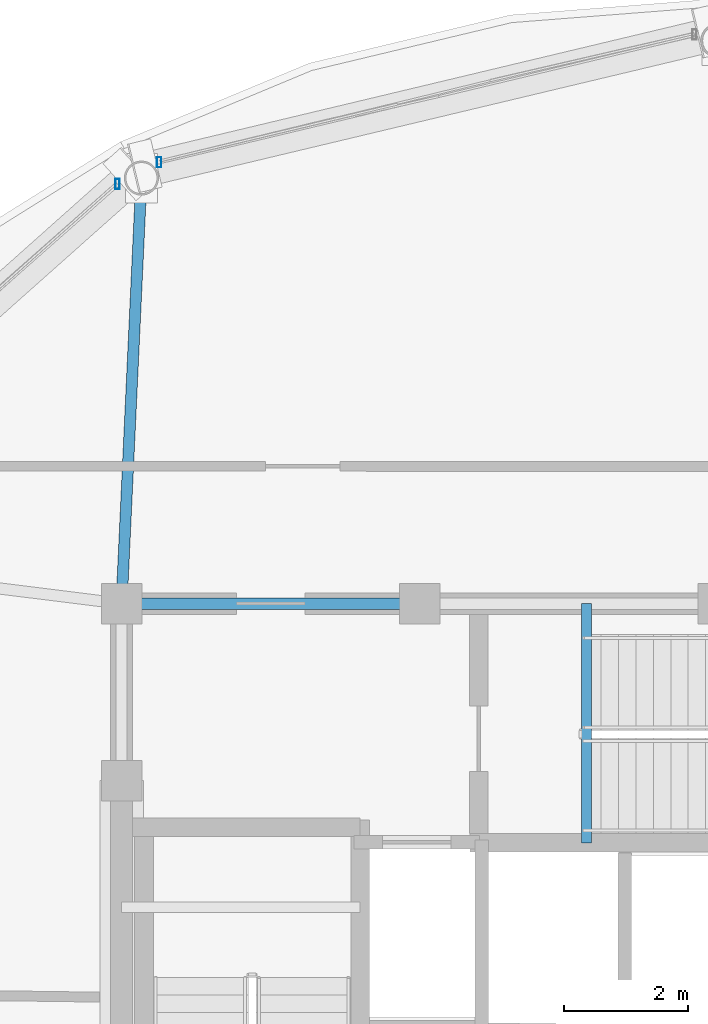
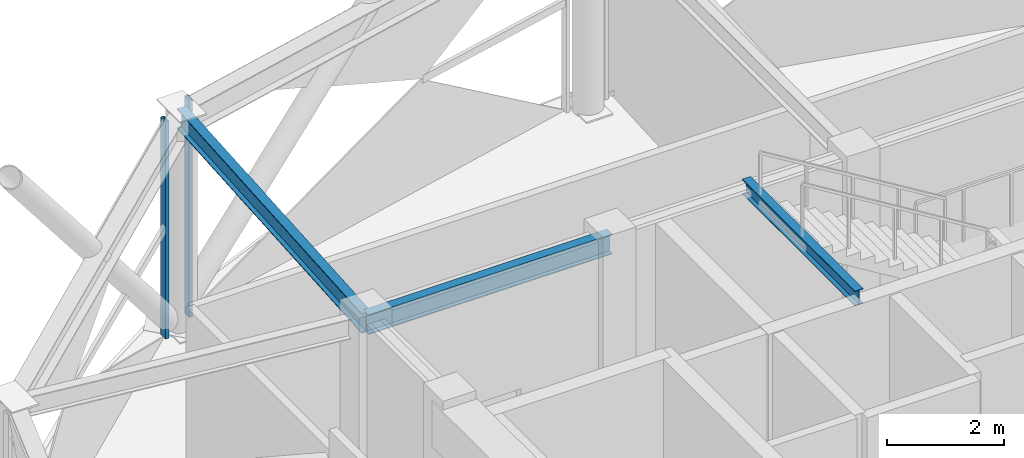
# One storey, part 11 of 27: 3 beams, 2 members, 2 elements without a shape of their own.
"""IFC4 building model written with IfcOpenShell, lengths in metres."""

import ifcopenshell
import ifcopenshell.guid

model = None  # the IFC model being written
_history = None  # IfcOwnerHistory: only IFC2X3 demands one
_inside = {}  # id of a spatial element -> (the spatial element, [elements in it])
_under = {}  # id of a project, library or spatial element -> (it, [spatial elements below it])
_declared = {}  # id of a project -> (the project, [libraries it declares])
_typed = {}  # id of a type object -> (the type object, [elements of that type])
_made_of = {}  # id of a material, layer set ... -> (it, [elements and type objects made of it])


def new_model(schema):
    """Start an empty IFC model of exactly this schema.

    Asked for "IFC4X3", IfcOpenShell would pick the latest addendum, in which some entities
    have other attributes; the version numbers below select the first issue.
    IFC2X3 requires an IfcOwnerHistory on every rooted entity: one is made here for all.
    """
    global model, _history
    if schema == "IFC4X3":
        model = ifcopenshell.file(schema_version=(4, 3, 0, 0))
    else:
        model = ifcopenshell.file(schema=schema)
    _inside.clear()
    _under.clear()
    _declared.clear()
    _typed.clear()
    _made_of.clear()
    _history = None
    if model.schema == "IFC2X3":
        org = make("IfcOrganization", Name="unknown")
        user = make(
            "IfcPersonAndOrganization",
            ThePerson=make("IfcPerson", FamilyName="unknown"),
            TheOrganization=org,
        )
        app = make(
            "IfcApplication",
            ApplicationDeveloper=org,
            Version="unknown",
            ApplicationFullName="unknown",
            ApplicationIdentifier="unknown",
        )
        _history = make(
            "IfcOwnerHistory",
            OwningUser=user,
            OwningApplication=app,
            ChangeAction="ADDED",
            CreationDate=0,
        )
    return model


def make(cls, **values):
    """One entity of the class cls with the attributes given. An attribute that is None is left unset."""
    return model.create_entity(
        cls, **{name: value for name, value in values.items() if value is not None}
    )


def rooted(cls, **values):
    """An entity with a GlobalId (a new one), such as an element, a storey or a relation."""
    return make(cls, GlobalId=ifcopenshell.guid.new(), OwnerHistory=_history, **values)


def si_unit(unit_type, name, prefix=None):
    """IfcSIUnit, for example si_unit("LENGTHUNIT", "METRE", prefix="MILLI")."""
    return make("IfcSIUnit", UnitType=unit_type, Prefix=prefix, Name=name)


def assignment(units):
    """IfcUnitAssignment: the units of a project."""
    return None if units is None else make("IfcUnitAssignment", Units=units)


def point(xyz):
    """IfcCartesianPoint."""
    return None if xyz is None else make("IfcCartesianPoint", Coordinates=xyz)


def direction(xyz):
    """IfcDirection."""
    return None if xyz is None else make("IfcDirection", DirectionRatios=xyz)


def frame(location, z_axis=None, x_axis=None):
    """IfcAxis2Placement3D, a coordinate frame: its origin and axes. An axis left out is left unset."""
    return make(
        "IfcAxis2Placement3D",
        Location=point(location),
        Axis=direction(z_axis),
        RefDirection=direction(x_axis),
    )


def frame_2d(location, x_axis=None):
    """IfcAxis2Placement2D, a coordinate frame in the plane: its origin and x axis."""
    return make(
        "IfcAxis2Placement2D", Location=point(location), RefDirection=direction(x_axis)
    )


def origin():
    """The frame at (0, 0, 0) with its axes left unset."""
    return frame((0.0, 0.0, 0.0))


def origin_2d():
    """The frame at (0, 0) in the plane with its x axis left unset."""
    return frame_2d((0.0, 0.0))


def place(relative_to, where):
    """IfcLocalPlacement: puts the frame where relative to a parent placement (None: the world)."""
    return make(
        "IfcLocalPlacement", PlacementRelTo=relative_to, RelativePlacement=where
    )


def context(
    kind, dimensions, precision=None, world=None, true_north=None, identifier=None
):
    """IfcGeometricRepresentationContext, for example the 3D "Model" context."""
    return make(
        "IfcGeometricRepresentationContext",
        ContextIdentifier=identifier,
        ContextType=kind,
        CoordinateSpaceDimension=dimensions,
        Precision=precision,
        WorldCoordinateSystem=world,
        TrueNorth=true_north,
    )


def subcontext(parent, identifier, kind, view, scale=None):
    """IfcGeometricRepresentationSubContext, for example "Body" below "Model"."""
    return make(
        "IfcGeometricRepresentationSubContext",
        ContextIdentifier=identifier,
        ContextType=kind,
        ParentContext=parent,
        TargetScale=scale,
        TargetView=view,
    )


def project(units=None, contexts=None):
    """IfcProject with its units and contexts."""
    return rooted(
        "IfcProject",
        Name="project",
        RepresentationContexts=contexts,
        UnitsInContext=assignment(units),
    )


def spatial(cls, under=None, at=None, **own):
    """A site, building, storey or space (cls), placed at a placement, below another one or the project."""
    s = rooted(cls, ObjectPlacement=at, **own)
    if under is not None:
        _under.setdefault(under.id(), (under, []))[1].append(s)
    return s


def profile(cls, at=None, kind="AREA", **sizes):
    """A parametric profile (cls). Its sizes go by their IFC names, for example OverallWidth=200.0."""
    return make(cls, ProfileType=kind, Position=at, **sizes)


def hollow_rectangle(**sizes):
    """IfcRectangleHollowProfileDef."""
    return profile("IfcRectangleHollowProfileDef", **sizes)


def i_section(**sizes):
    """IfcIShapeProfileDef."""
    return profile("IfcIShapeProfileDef", **sizes)


def extrude(swept, where, along, depth):
    """IfcExtrudedAreaSolid: the profile swept, set in the frame where, extruded along a direction by depth."""
    return make(
        "IfcExtrudedAreaSolid",
        SweptArea=swept,
        Position=where,
        ExtrudedDirection=direction(along),
        Depth=depth,
    )


def shape(context_of_items, identifier, shape_type, items):
    """IfcShapeRepresentation: the items that make up one representation, for example the "Body"."""
    return make(
        "IfcShapeRepresentation",
        ContextOfItems=context_of_items,
        RepresentationIdentifier=identifier,
        RepresentationType=shape_type,
        Items=items,
    )


def material(Name=None, Category=None):
    """IfcMaterial."""
    return make("IfcMaterial", Name=Name, Category=Category)


def layer(
    of_material, thickness, ventilated=None, Name=None, Category=None, Priority=None
):
    """IfcMaterialLayer: one layer of a wall or slab, of a material (None: an air gap)."""
    return make(
        "IfcMaterialLayer",
        Material=of_material,
        LayerThickness=thickness,
        IsVentilated=ventilated,
        Name=Name,
        Category=Category,
        Priority=Priority,
    )


def layer_set(layers, Name=None):
    """IfcMaterialLayerSet."""
    return make("IfcMaterialLayerSet", MaterialLayers=layers, LayerSetName=Name)


def material_profile(
    of_material, cross_section, Name=None, Category=None, Priority=None
):
    """IfcMaterialProfile: a cross section and its material."""
    return make(
        "IfcMaterialProfile",
        Name=Name,
        Material=of_material,
        Profile=cross_section,
        Priority=Priority,
        Category=Category,
    )


def profile_set(profiles, Name=None, composite=None):
    """IfcMaterialProfileSet."""
    return make(
        "IfcMaterialProfileSet",
        Name=Name,
        MaterialProfiles=profiles,
        CompositeProfile=composite,
    )


def made_of(thing, what):
    """Note that an element or type object is made of a material, layer set ...; save() writes the relation."""
    if what is not None:
        _made_of.setdefault(what.id(), (what, []))[1].append(thing)
    return thing


def type_object(cls, material=None, **own):
    """A type object (cls), such as IfcWallType, which elements share."""
    return made_of(rooted(cls, **own), material)


def element(
    cls,
    number,
    at=None,
    inside=None,
    cuts=None,
    type_object=None,
    material=None,
    context=None,
    identifier="Body",
    shape_type=None,
    held_by="IfcProductDefinitionShape",
    body=None,
    shapes=None,
    **own,
):
    """One element of the class cls, such as IfcWall. Its Tag is "e" and its number.

    at: its placement. inside: the storey or other place that contains it. cuts: it is an
    opening in that element (IfcRelVoidsElement). A single representation is given by context,
    identifier, shape_type and body (its items); several are given by shapes. held_by: the class
    of the entity that holds the representations. save() writes the other relations.
    """
    e = rooted(cls, Tag="e%d" % number, ObjectPlacement=at, **own)
    if body is not None:
        shapes = [shape(context, identifier, shape_type, body)]
    if shapes is not None:
        e.Representation = make(held_by, Representations=shapes)
    if inside is not None:
        _inside.setdefault(inside.id(), (inside, []))[1].append(e)
    if cuts is not None:
        rooted(
            "IfcRelVoidsElement", RelatingBuildingElement=cuts, RelatedOpeningElement=e
        )
    if type_object is not None:
        _typed.setdefault(type_object.id(), (type_object, []))[1].append(e)
    return made_of(e, material)


def aggregate(whole, parts):
    """IfcRelAggregates: a whole, such as a stair, and the parts it consists of."""
    return rooted("IfcRelAggregates", RelatingObject=whole, RelatedObjects=parts)


def save(model, path):
    """Write the relations noted so far, then the file.

    IfcRelAggregates (storeys below a building ...), IfcRelContainedInSpatialStructure (elements
    in a storey), IfcRelDefinesByType, IfcRelAssociatesMaterial and IfcRelDeclares: one each for
    every whole, place, type object, material and project.
    """
    for whole, parts in _under.values():
        aggregate(whole, parts)
    for where, things in _inside.values():
        rooted(
            "IfcRelContainedInSpatialStructure",
            RelatedElements=things,
            RelatingStructure=where,
        )
    for kind, things in _typed.values():
        rooted("IfcRelDefinesByType", RelatedObjects=things, RelatingType=kind)
    for what, things in _made_of.values():
        rooted("IfcRelAssociatesMaterial", RelatedObjects=things, RelatingMaterial=what)
    for by, libraries in _declared.values():
        rooted("IfcRelDeclares", RelatingContext=by, RelatedDefinitions=libraries)
    model.write(path)


model = new_model("IFC4")

# Units and contexts
model_context = context("Model", 3, precision=1e-05, world=origin(), true_north=direction((0.0, 1.0)))
body_context = subcontext(model_context, "Body", "Model", "MODEL_VIEW")
ifc_project = project(units=[si_unit("LENGTHUNIT", "METRE"), si_unit("AREAUNIT", "SQUARE_METRE"), si_unit("VOLUMEUNIT", "CUBIC_METRE"), si_unit("PLANEANGLEUNIT", "RADIAN"), si_unit("MASSUNIT", "GRAM", prefix="KILO")], contexts=[model_context])

# Site, building, storey
site_placement = place(None, origin())
site = spatial("IfcSite", under=ifc_project, at=site_placement, CompositionType="ELEMENT")
building_placement = place(site_placement, origin())
building = spatial("IfcBuilding", under=site, at=building_placement, Name="Vantalir Tower", CompositionType="ELEMENT")
storey_placement = place(building_placement, frame((0.0, 0.0, 290.10009765625)))
storey = spatial("IfcBuildingStorey", under=building, at=storey_placement, Name="L73", CompositionType="ELEMENT", Elevation=290.10009765625)

# Beams
ifc_material_1 = material(Name="Steel S355", Category="steel")
ifc_material_profile_1 = material_profile(ifc_material_1, i_section(OverallWidth=0.166015625, OverallDepth=0.306884765625, WebThickness=0.006591796875, FlangeThickness=0.01171875, at=origin_2d()), Name="Steel S355")
ifc_profile_set_1 = profile_set([ifc_material_profile_1], Name="Steel S355")
beam_type_1 = type_object("IfcBeamType", Name="BM-JS-305x165", PredefinedType="JOIST", material=ifc_profile_set_1)
beam_1_placement = place(storey_placement, frame((29.385009765625, 28.60009765625, 4.64599609375), z_axis=(0.0, 1.0, 0.0), x_axis=(-1.0, 0.0, 0.0)))
element("IfcBeam", 1, at=beam_1_placement, inside=storey, type_object=beam_type_1, Name="L74 Stair ST3 Well Nosing Trimmer Beam", PredefinedType="JOIST", context=body_context, shape_type="SweptSolid", body=[
    extrude(i_section(OverallWidth=0.166015625, OverallDepth=0.306884765625, WebThickness=0.006591796875, FlangeThickness=0.01171875, at=origin_2d()), origin(), (0.0, 0.0, 1.0), 3.849853515625),
])
ifc_material_profile_2 = material_profile(ifc_material_1, i_section(OverallWidth=0.179931640625, OverallDepth=0.4130859375, WebThickness=0.009521484375, FlangeThickness=0.01611328125, at=origin_2d()), Name="Steel S355")
ifc_profile_set_2 = profile_set([ifc_material_profile_2], Name="Steel S355")
beam_type_2 = type_object("IfcBeamType", Name="BM-RB-406x178", PredefinedType="BEAM", material=ifc_profile_set_2)
beam_2_placement = place(storey_placement, frame((26.699951171875, 32.449951171875, 4.413818359375), z_axis=(-1.0, 0.0, 0.0), x_axis=(0.0, -1.0, 0.0)))
element("IfcBeam", 2, at=beam_2_placement, inside=storey, type_object=beam_type_2, Name="L73 Core Coupling Girder 11", PredefinedType="BEAM", context=body_context, shape_type="SweptSolid", body=[
    extrude(i_section(OverallWidth=0.179931640625, OverallDepth=0.4130859375, WebThickness=0.009521484375, FlangeThickness=0.01611328125, at=origin_2d()), origin(), (0.0, 0.0, 1.0), 4.800048828125),
])
beam_3_placement = place(storey_placement, frame((22.219970703125, 39.300048828125, 4.413818359375), z_axis=(-0.04667372074, -0.998910188051, 0.0), x_axis=(0.998910188051, -0.04667372074, 0.0)))
element("IfcBeam", 3, at=beam_3_placement, inside=storey, type_object=beam_type_2, Name="L73 Radial Floor Beam 05", PredefinedType="BEAM", context=body_context, shape_type="SweptSolid", body=[
    extrude(i_section(OverallWidth=0.179931640625, OverallDepth=0.4130859375, WebThickness=0.009521484375, FlangeThickness=0.01611328125, at=origin_2d()), origin(), (0.0, 0.0, 1.0), 6.857666015625),
])

# Curtain wall, member
ifc_material_2 = material(Name="Champagne-silver PVDF aluminium and double-silver Low-E glass", Category="aluminium")
ifc_layer = layer(ifc_material_2, 0.219970703125)
ifc_layer_set = layer_set([ifc_layer], Name="Champagne-silver PVDF aluminium and double-silver Low-E glass")
curtain_wall_type = type_object("IfcCurtainWallType", Name="CW-DIAMOND-Z4", PredefinedType="USERDEFINED", material=ifc_layer_set)
curtain_wall_1_placement = place(storey_placement, origin())
curtain_wall_1 = element("IfcCurtainWall", 4, at=curtain_wall_1_placement, inside=storey, type_object=curtain_wall_type, Name="L73 Quilted Pyramid-Diamond Curtain Wall S04", ObjectType="UNITISED CURTAIN WALL", PredefinedType="USERDEFINED")
ifc_material_3 = material(Name="Champagne-silver PVDF aluminium 6063-T6", Category="aluminium")
ifc_material_profile_3 = material_profile(ifc_material_3, hollow_rectangle(XDim=0.070068359375, YDim=0.1650390625, WallThickness=0.00390625, at=origin_2d()), Name="Champagne-silver PVDF aluminium 6063-T6")
ifc_profile_set_3 = profile_set([ifc_material_profile_3], Name="Champagne-silver PVDF aluminium 6063-T6")
member_type = type_object("IfcMemberType", Name="CWM-165x70", PredefinedType="MULLION", material=ifc_profile_set_3)
member_1_placement = place(storey_placement, frame((22.50390625, 39.554931640625, 0.044921875), z_axis=(0.0, 0.0, 1.0), x_axis=(1.0, 0.0, 0.0)))
member_1 = element("IfcMember", 5, at=member_1_placement, type_object=member_type, Name="CW-L73-S04 Mullion 2", PredefinedType="MULLION", context=body_context, shape_type="SweptSolid", body=[
    extrude(hollow_rectangle(XDim=0.070068359375, YDim=0.1650390625, WallThickness=0.00390625, at=origin_2d()), origin(), (0.0, 0.0, 1.0), 4.530029296875),
])
aggregate(curtain_wall_1, [member_1])

curtain_wall_2_placement = place(storey_placement, origin())
curtain_wall_2 = element("IfcCurtainWall", 6, at=curtain_wall_2_placement, inside=storey, type_object=curtain_wall_type, Name="L73 Quilted Pyramid-Diamond Curtain Wall S05", ObjectType="UNITISED CURTAIN WALL", PredefinedType="USERDEFINED")
member_2_placement = place(storey_placement, frame((21.833984375, 39.205078125, 0.044921875), z_axis=(0.0, 0.0, 1.0), x_axis=(1.0, 0.0, 0.0)))
member_2 = element("IfcMember", 7, at=member_2_placement, type_object=member_type, Name="CW-L73-S05 Mullion 1", PredefinedType="MULLION", context=body_context, shape_type="SweptSolid", body=[
    extrude(hollow_rectangle(XDim=0.070068359375, YDim=0.1650390625, WallThickness=0.00390625, at=origin_2d()), origin(), (0.0, 0.0, 1.0), 4.530029296875),
])
aggregate(curtain_wall_2, [member_2])

save(model, "model.ifc")
